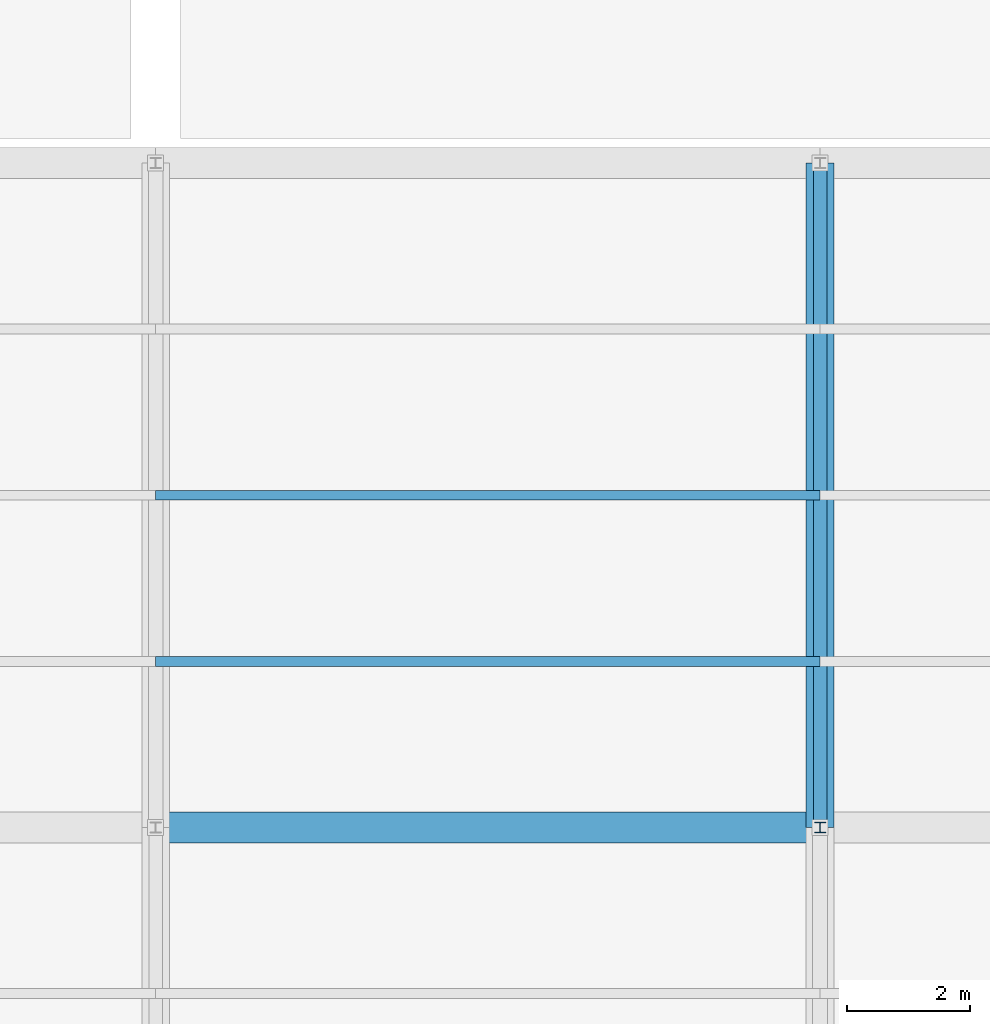
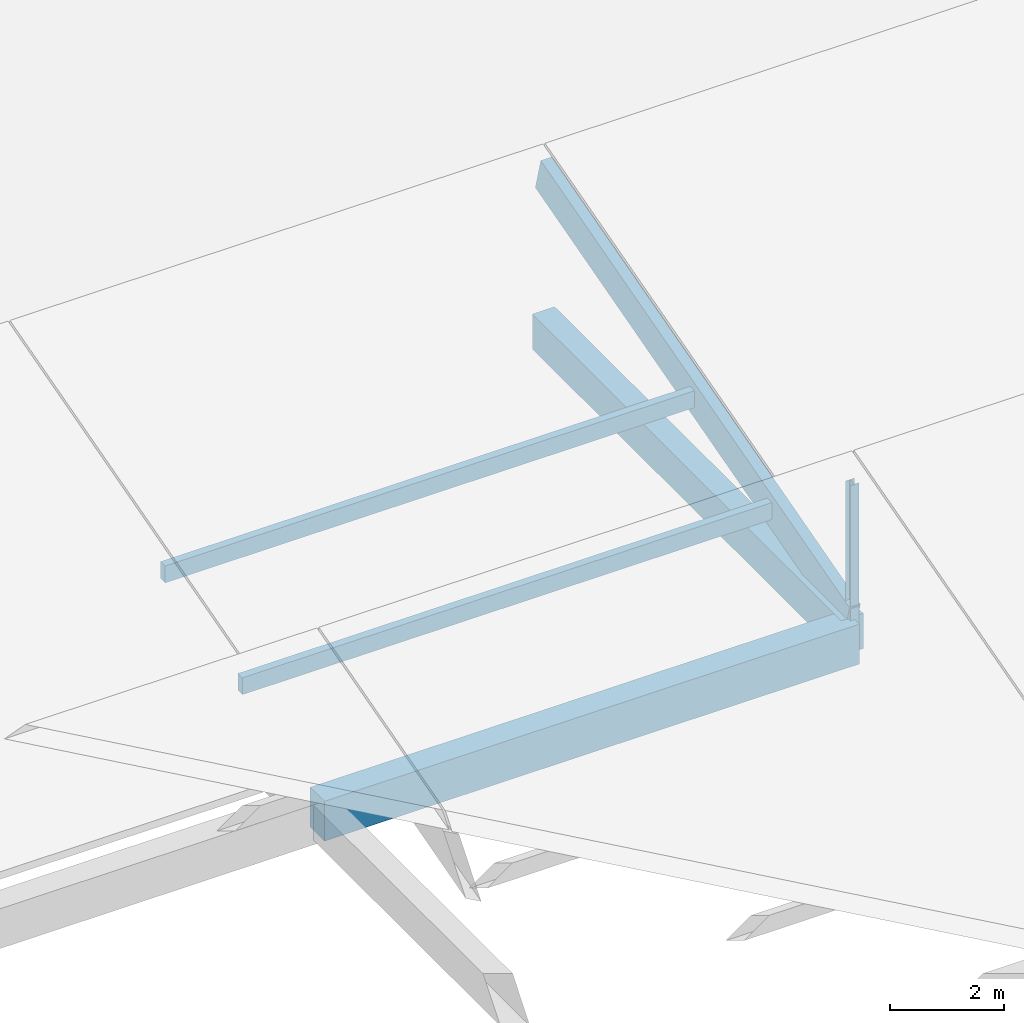
# One storey, part 36 of 112: 4 members, 2 beams.
"""IFC4 building model written with IfcOpenShell, lengths in metres."""

from ifc_helpers import new_model, si_unit, direction, frame, origin, origin_2d, place, context, subcontext, project, spatial, rectangle, i_section, extrude, material, material_profile, profile_set, type_object, element, save


model = new_model("IFC4")

# Units and contexts
model_context = context("Model", 3, precision=1e-05, world=origin(), true_north=direction((0.0, 1.0)))
body_context = subcontext(model_context, "Body", "Model", "MODEL_VIEW")
ifc_project = project(units=[si_unit("LENGTHUNIT", "METRE"), si_unit("AREAUNIT", "SQUARE_METRE"), si_unit("VOLUMEUNIT", "CUBIC_METRE"), si_unit("PLANEANGLEUNIT", "RADIAN"), si_unit("MASSUNIT", "GRAM", prefix="KILO")], contexts=[model_context])

# Site, building, storey
site_placement = place(None, origin())
site = spatial("IfcSite", under=ifc_project, at=site_placement, CompositionType="ELEMENT")
building_placement = place(site_placement, origin())
building = spatial("IfcBuilding", under=site, at=building_placement, Name="Zwinboog Wholesale Market", CompositionType="ELEMENT")
storey_placement = place(building_placement, frame((0.0, 0.0, 19.080078125)))
storey = spatial("IfcBuildingStorey", under=building, at=storey_placement, Name="Roof", CompositionType="ELEMENT", Elevation=19.080078125)

# Beams
ifc_material_1 = material(Name="Precast concrete C45/55", Category="concrete")
ifc_material_profile_1 = material_profile(ifc_material_1, rectangle(XDim=0.5, YDim=0.85009765625, at=origin_2d()), Name="PC 500x850")
ifc_profile_set_1 = profile_set([ifc_material_profile_1], Name="Precast concrete C45/55")
beam_type_1 = type_object("IfcBeamType", Name="BT-03", PredefinedType="BEAM", material=ifc_profile_set_1)
beam_1_placement = place(storey_placement, frame((43.199951171875, 97.199951171875, -9.425048828125), z_axis=(1.0, 0.0, 0.0), x_axis=(0.0, 1.0, 0.0)))
element("IfcBeam", 1, at=beam_1_placement, inside=storey, type_object=beam_type_1, Name="BG-03 (BMG-Roof-0432-0972-1197)", PredefinedType="BEAM", context=body_context, shape_type="SweptSolid", body=[
    extrude(rectangle(XDim=0.5, YDim=0.85009765625, at=origin_2d()), origin(), (0.0, 0.0, 1.0), 10.800048828125),
])
ifc_material_profile_2 = material_profile(ifc_material_1, rectangle(XDim=0.449951171875, YDim=0.75, at=origin_2d()), Name="PC 450x750")
ifc_profile_set_2 = profile_set([ifc_material_profile_2], Name="Precast concrete C45/55")
beam_type_2 = type_object("IfcBeamType", Name="BT-04", PredefinedType="BEAM", material=ifc_profile_set_2)
beam_2_placement = place(storey_placement, frame((54.0, 97.199951171875, -9.375), z_axis=(0.0, 1.0, 0.0), x_axis=(-1.0, 0.0, 0.0)))
element("IfcBeam", 2, at=beam_2_placement, inside=storey, type_object=beam_type_2, Name="BG-04 (BMG-Roof-0540-0972-1254)", PredefinedType="BEAM", context=body_context, shape_type="SweptSolid", body=[
    extrude(rectangle(XDim=0.449951171875, YDim=0.75, at=origin_2d()), origin(), (0.0, 0.0, 1.0), 10.800048828125),
])

# Members
ifc_material_2 = material(Name="Steel S355", Category="steel")
ifc_material_profile_3 = material_profile(ifc_material_2, i_section(OverallWidth=0.179931640625, OverallDepth=0.1708984375, WebThickness=0.006103515625, FlangeThickness=0.009521484375, FilletRadius=0.014892578125, at=origin_2d()), Name="HEA 180")
ifc_profile_set_3 = profile_set([ifc_material_profile_3], Name="Steel S355")
member_type_1 = type_object("IfcMemberType", Name="MT-07", PredefinedType="BRACE", material=ifc_profile_set_3)
member_1_placement = place(storey_placement, frame((54.0, 97.199951171875, -9.2001953125), z_axis=(0.0, 0.0, 1.0), x_axis=(1.0, 0.0, 0.0)))
element("IfcMember", 3, at=member_1_placement, inside=storey, type_object=member_type_1, Name="DB-04 (MEM-Roof-0869)", PredefinedType="BRACE", context=body_context, shape_type="SweptSolid", body=[
    extrude(i_section(OverallWidth=0.179931640625, OverallDepth=0.1708984375, WebThickness=0.006103515625, FlangeThickness=0.009521484375, FilletRadius=0.014892578125, at=origin_2d()), origin(), (0.0, 0.0, 1.0), 3.0869140625),
])
ifc_material_3 = material(Name="Glulam GL28h", Category="wood")
ifc_material_profile_4 = material_profile(ifc_material_3, rectangle(XDim=0.219970703125, YDim=0.719970703125, at=origin_2d()), Name="GL28h 220x720")
ifc_profile_set_4 = profile_set([ifc_material_profile_4], Name="Glulam GL28h")
member_type_2 = type_object("IfcMemberType", Name="MT-10", PredefinedType="RAFTER", material=ifc_profile_set_4)
member_2_placement = place(storey_placement, frame((54.0, 97.199951171875, -9.05322265625), z_axis=(0.0, 0.963518221675, 0.26764274042), x_axis=(-1.0, 0.0, 0.0)))
element("IfcMember", 4, at=member_2_placement, inside=storey, type_object=member_type_2, Name="GR-02 (MEM-Roof-0879)", PredefinedType="RAFTER", context=body_context, shape_type="SweptSolid", body=[
    extrude(rectangle(XDim=0.219970703125, YDim=0.719970703125, at=origin_2d()), origin(), (0.0, 0.0, 1.0), 11.208984375),
])
ifc_material_profile_5 = material_profile(ifc_material_3, rectangle(XDim=0.159912109375, YDim=0.360107421875, at=origin_2d()), Name="GL28h 160x360")
ifc_profile_set_5 = profile_set([ifc_material_profile_5], Name="Glulam GL28h")
member_type_3 = type_object("IfcMemberType", Name="MT-12", PredefinedType="PURLIN", material=ifc_profile_set_5)
for number, where, z_axis, x_axis, name in (
    (5, (43.199951171875, 99.89990234375, -8.285888671875), (1.0, 0.0, 0.0), (0.0, 1.0, 0.0), "GP-01 (MEM-Roof-0876)"),
    (6, (43.199951171875, 102.60009765625, -7.535888671875), (1.0, 0.0, 0.0), (0.0, 1.0, 0.0), "GP-01 (MEM-PRL-Roof-0047)"),
):
    element("IfcMember", number, at=place(storey_placement, frame(where, z_axis=z_axis, x_axis=x_axis)), inside=storey, type_object=member_type_3, Name=name, PredefinedType="PURLIN", context=body_context, shape_type="SweptSolid", body=[
        extrude(rectangle(XDim=0.159912109375, YDim=0.360107421875, at=origin_2d()), origin(), (0.0, 0.0, 1.0), 10.800048828125),
    ])

save(model, "model.ifc")
